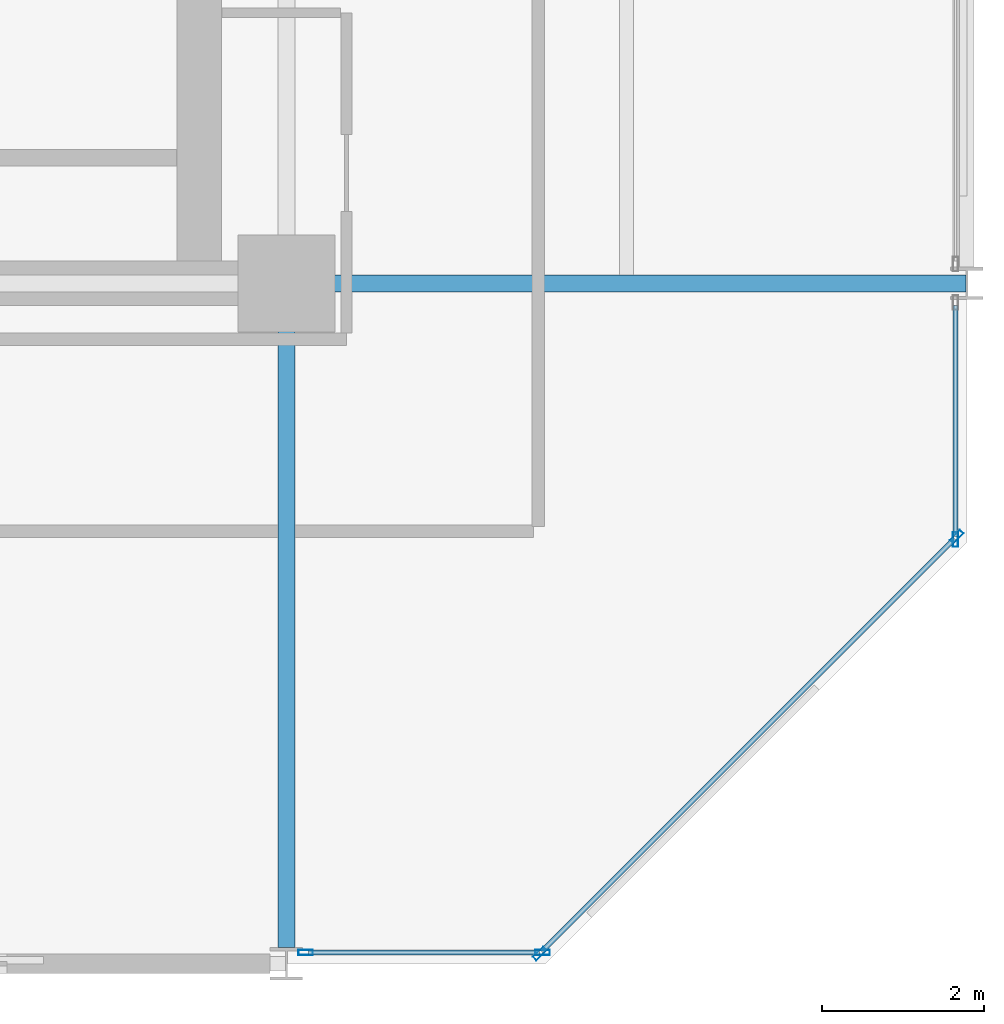
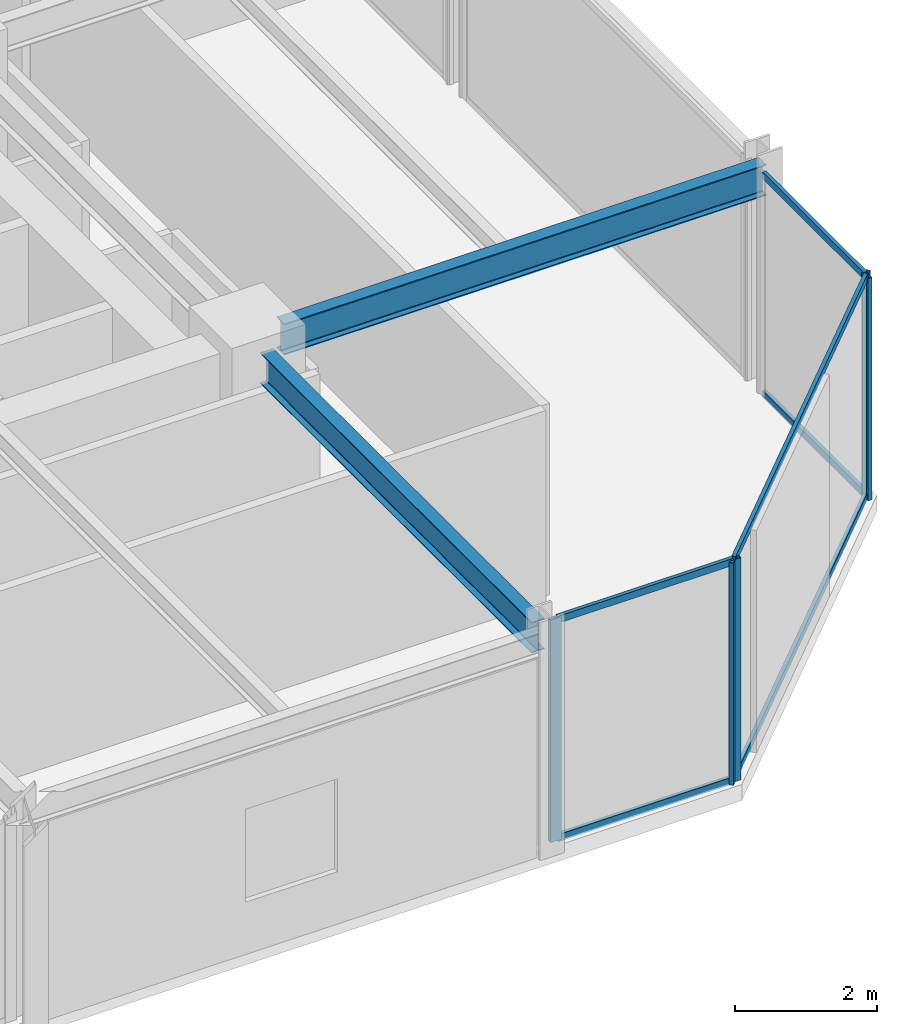
# One storey, part 13 of 29: 11 members, 2 beams, 3 elements without a shape of their own.
"""IFC4 building model written with IfcOpenShell, lengths in metres."""

from ifc_helpers import new_model, si_unit, direction, frame, origin, origin_2d, place, context, subcontext, project, spatial, hollow_rectangle, i_section, extrude, material, layer, layer_set, material_profile, profile_set, type_object, element, aggregate, save


model = new_model("IFC4")

# Units and contexts
model_context = context("Model", 3, precision=1e-05, world=origin(), true_north=direction((0.0, 1.0)))
body_context = subcontext(model_context, "Body", "Model", "MODEL_VIEW")
ifc_project = project(units=[si_unit("LENGTHUNIT", "METRE"), si_unit("AREAUNIT", "SQUARE_METRE"), si_unit("VOLUMEUNIT", "CUBIC_METRE"), si_unit("PLANEANGLEUNIT", "RADIAN"), si_unit("MASSUNIT", "GRAM", prefix="KILO")], contexts=[model_context])

# Site, building, storey
site_placement = place(None, origin())
site = spatial("IfcSite", under=ifc_project, at=site_placement, CompositionType="ELEMENT")
building_placement = place(site_placement, origin())
building = spatial("IfcBuilding", under=site, at=building_placement, Name="Nerrivon Quay Data Exchange", CompositionType="ELEMENT")
storey_placement = place(building_placement, frame((0.0, 0.0, 145.89990234375)))
storey = spatial("IfcBuildingStorey", under=building, at=storey_placement, Name="L34", CompositionType="ELEMENT", Elevation=145.89990234375)

# Beams
ifc_material_1 = material(Name="Steel Grade 350", Category="steel")
ifc_material_profile_1 = material_profile(ifc_material_1, i_section(OverallWidth=0.208984375, OverallDepth=0.532958984375, WebThickness=0.01025390625, FlangeThickness=0.015625, FilletRadius=0.013916015625, at=origin_2d()), Name="530UB92.4")
ifc_profile_set_1 = profile_set([ifc_material_profile_1], Name="Steel Grade 350")
beam_type_1 = type_object("IfcBeamType", Name="BM-G3-530UB92", PredefinedType="BEAM", material=ifc_profile_set_1)
beam_1_placement = place(storey_placement, frame((34.139892578125, 8.39990234375, 3.55859375), z_axis=(1.0, 0.0, 0.0), x_axis=(0.0, 1.0, 0.0)))
element("IfcBeam", 1, at=beam_1_placement, inside=storey, type_object=beam_type_1, Name="L34 EW Girder Y=8.4 (33.6..42.0)", PredefinedType="BEAM", context=body_context, shape_type="SweptSolid", body=[
    extrude(i_section(OverallWidth=0.208984375, OverallDepth=0.532958984375, WebThickness=0.01025390625, FlangeThickness=0.015625, FilletRadius=0.013916015625, at=origin_2d()), origin(), (0.0, 0.0, 1.0), 7.84765625),
])
ifc_material_profile_2 = material_profile(ifc_material_1, i_section(OverallWidth=0.208984375, OverallDepth=0.528076171875, WebThickness=0.009521484375, FlangeThickness=0.01318359375, FilletRadius=0.013916015625, at=origin_2d()), Name="530UB82.0")
ifc_profile_set_2 = profile_set([ifc_material_profile_2], Name="Steel Grade 350")
beam_type_2 = type_object("IfcBeamType", Name="BM-G4-530UB82", PredefinedType="BEAM", material=ifc_profile_set_2)
beam_2_placement = place(storey_placement, frame((33.60009765625, 0.199951171875, 3.56103515625), z_axis=(0.0, 1.0, 0.0), x_axis=(-1.0, 0.0, 0.0)))
element("IfcBeam", 2, at=beam_2_placement, inside=storey, type_object=beam_type_2, Name="L34 NS Girder X=33.6 (0.0..8.4)", PredefinedType="BEAM", context=body_context, shape_type="SweptSolid", body=[
    extrude(i_section(OverallWidth=0.208984375, OverallDepth=0.528076171875, WebThickness=0.009521484375, FlangeThickness=0.01318359375, FilletRadius=0.013916015625, at=origin_2d()), origin(), (0.0, 0.0, 1.0), 7.66015625),
])

# Curtain wall, members
ifc_material_2 = material(Name="Anodised aluminium 6063-T6", Category="aluminium")
ifc_layer = layer(ifc_material_2, 0.2099609375)
ifc_layer_set = layer_set([ifc_layer], Name="Anodised aluminium 6063-T6")
curtain_wall_type = type_object("IfcCurtainWallType", Name="CW-SYS-02", PredefinedType="NOTDEFINED", material=ifc_layer_set)
curtain_wall_1_placement = place(storey_placement, origin())
curtain_wall_1 = element("IfcCurtainWall", 3, at=curtain_wall_1_placement, inside=storey, type_object=curtain_wall_type, Name="L34 Unitised Curtain Wall 1", PredefinedType="NOTDEFINED")
ifc_material_profile_3 = material_profile(ifc_material_2, hollow_rectangle(XDim=0.06494140625, YDim=0.179931640625, WallThickness=0.00341796875, at=origin_2d()), Name="ALU-MULL-180x65")
ifc_profile_set_3 = profile_set([ifc_material_profile_3], Name="Anodised aluminium 6063-T6")
member_type_1 = type_object("IfcMemberType", Name="CWM-180x65", PredefinedType="MULLION", material=ifc_profile_set_3)
member_1_placement = place(storey_placement, frame((41.87451171875, 5.2724609375, 0.0), z_axis=(0.0, 0.0, 1.0), x_axis=(0.707106781187, -0.707106781187, 0.0)))
member_1 = element("IfcMember", 4, at=member_1_placement, type_object=member_type_1, Name="CW02 mullion 1", PredefinedType="MULLION", context=body_context, shape_type="SweptSolid", body=[
    extrude(hollow_rectangle(XDim=0.06494140625, YDim=0.179931640625, WallThickness=0.00341796875, at=origin_2d()), origin(), (0.0, 0.0, 1.0), 3.8251953125),
])
member_2_placement = place(storey_placement, frame((36.7275390625, 0.12548828125, 0.0), z_axis=(0.0, 0.0, 1.0), x_axis=(0.707106781187, -0.707106781187, 0.0)))
member_2 = element("IfcMember", 5, at=member_2_placement, type_object=member_type_1, Name="CW02 mullion 2", PredefinedType="MULLION", context=body_context, shape_type="SweptSolid", body=[
    extrude(hollow_rectangle(XDim=0.06494140625, YDim=0.179931640625, WallThickness=0.00341796875, at=origin_2d()), origin(), (0.0, 0.0, 1.0), 3.8251953125),
])

curtain_wall_2_placement = place(storey_placement, origin())
curtain_wall_2 = element("IfcCurtainWall", 6, at=curtain_wall_2_placement, inside=storey, type_object=curtain_wall_type, Name="L34 Unitised Curtain Wall 2", PredefinedType="NOTDEFINED")
member_3_placement = place(storey_placement, frame((36.762451171875, 0.139892578125, 0.0), z_axis=(0.0, 0.0, 1.0), x_axis=(0.0, -1.0, 0.0)))
member_3 = element("IfcMember", 7, at=member_3_placement, type_object=member_type_1, Name="CW02 mullion 1", PredefinedType="MULLION", context=body_context, shape_type="SweptSolid", body=[
    extrude(hollow_rectangle(XDim=0.06494140625, YDim=0.179931640625, WallThickness=0.00341796875, at=origin_2d()), origin(), (0.0, 0.0, 1.0), 3.8251953125),
])
member_4_placement = place(storey_placement, frame((33.83740234375, 0.139892578125, 0.0), z_axis=(0.0, 0.0, 1.0), x_axis=(0.0, -1.0, 0.0)))
member_4 = element("IfcMember", 8, at=member_4_placement, type_object=member_type_1, Name="CW02 mullion 2", PredefinedType="MULLION", context=body_context, shape_type="SweptSolid", body=[
    extrude(hollow_rectangle(XDim=0.06494140625, YDim=0.179931640625, WallThickness=0.00341796875, at=origin_2d()), origin(), (0.0, 0.0, 1.0), 3.8251953125),
])

# Curtain wall, member
curtain_wall_3_placement = place(storey_placement, origin())
curtain_wall_3 = element("IfcCurtainWall", 9, at=curtain_wall_3_placement, inside=storey, type_object=curtain_wall_type, Name="L34 Unitised Curtain Wall 30", PredefinedType="NOTDEFINED")
member_5_placement = place(storey_placement, frame((41.860107421875, 5.237548828125, 0.0), z_axis=(0.0, 0.0, 1.0), x_axis=(1.0, 0.0, 0.0)))
member_5 = element("IfcMember", 10, at=member_5_placement, type_object=member_type_1, Name="CW02 mullion 2", PredefinedType="MULLION", context=body_context, shape_type="SweptSolid", body=[
    extrude(hollow_rectangle(XDim=0.06494140625, YDim=0.179931640625, WallThickness=0.00341796875, at=origin_2d()), origin(), (0.0, 0.0, 1.0), 3.8251953125),
])

# Member
ifc_material_profile_4 = material_profile(ifc_material_2, hollow_rectangle(XDim=0.06005859375, YDim=0.1201171875, WallThickness=0.003173828125, at=origin_2d()), Name="ALU-TRAN-120x60")
ifc_profile_set_4 = profile_set([ifc_material_profile_4], Name="Anodised aluminium 6063-T6")
member_type_2 = type_object("IfcMemberType", Name="CWT-120x60", PredefinedType="USERDEFINED", material=ifc_profile_set_4)
member_6_placement = place(storey_placement, frame((41.847900390625, 5.245849609375, 0.03271484375), z_axis=(-0.707106781187, -0.707106781187, 0.0), x_axis=(0.707106781187, -0.707106781187, 0.0)))
member_6 = element("IfcMember", 11, at=member_6_placement, type_object=member_type_2, Name="CW02 transom 1.1", ObjectType="TRANSOM", PredefinedType="USERDEFINED", context=body_context, shape_type="SweptSolid", body=[
    extrude(hollow_rectangle(XDim=0.06005859375, YDim=0.1201171875, WallThickness=0.003173828125, at=origin_2d()), origin(), (0.0, 0.0, 1.0), 7.20361328125),
])

member_7_placement = place(storey_placement, frame((41.847900390625, 5.245849609375, 3.79248046875), z_axis=(-0.707106781187, -0.707106781187, 0.0), x_axis=(0.707106781187, -0.707106781187, 0.0)))
member_7 = element("IfcMember", 12, at=member_7_placement, type_object=member_type_2, Name="CW02 transom 1.2", ObjectType="TRANSOM", PredefinedType="USERDEFINED", context=body_context, shape_type="SweptSolid", body=[
    extrude(hollow_rectangle(XDim=0.06005859375, YDim=0.1201171875, WallThickness=0.003173828125, at=origin_2d()), origin(), (0.0, 0.0, 1.0), 7.20361328125),
])

aggregate(curtain_wall_1, [member_1, member_2, member_6, member_7])

member_8_placement = place(storey_placement, frame((36.72509765625, 0.139892578125, 0.03271484375), z_axis=(-1.0, 0.0, 0.0), x_axis=(0.0, -1.0, 0.0)))
member_8 = element("IfcMember", 13, at=member_8_placement, type_object=member_type_2, Name="CW02 transom 1.1", ObjectType="TRANSOM", PredefinedType="USERDEFINED", context=body_context, shape_type="SweptSolid", body=[
    extrude(hollow_rectangle(XDim=0.06005859375, YDim=0.1201171875, WallThickness=0.003173828125, at=origin_2d()), origin(), (0.0, 0.0, 1.0), 2.85009765625),
])

member_9_placement = place(storey_placement, frame((36.72509765625, 0.139892578125, 3.79248046875), z_axis=(-1.0, 0.0, 0.0), x_axis=(0.0, -1.0, 0.0)))
member_9 = element("IfcMember", 14, at=member_9_placement, type_object=member_type_2, Name="CW02 transom 1.2", ObjectType="TRANSOM", PredefinedType="USERDEFINED", context=body_context, shape_type="SweptSolid", body=[
    extrude(hollow_rectangle(XDim=0.06005859375, YDim=0.1201171875, WallThickness=0.003173828125, at=origin_2d()), origin(), (0.0, 0.0, 1.0), 2.85009765625),
])

aggregate(curtain_wall_2, [member_3, member_4, member_8, member_9])

member_10_placement = place(storey_placement, frame((41.860107421875, 8.125, 0.03271484375), z_axis=(0.0, -1.0, 0.0), x_axis=(1.0, 0.0, 0.0)))
member_10 = element("IfcMember", 15, at=member_10_placement, type_object=member_type_2, Name="CW02 transom 1.1", ObjectType="TRANSOM", PredefinedType="USERDEFINED", context=body_context, shape_type="SweptSolid", body=[
    extrude(hollow_rectangle(XDim=0.06005859375, YDim=0.1201171875, WallThickness=0.003173828125, at=origin_2d()), origin(), (0.0, 0.0, 1.0), 2.85009765625),
])

member_11_placement = place(storey_placement, frame((41.860107421875, 8.125, 3.79248046875), z_axis=(0.0, -1.0, 0.0), x_axis=(1.0, 0.0, 0.0)))
member_11 = element("IfcMember", 16, at=member_11_placement, type_object=member_type_2, Name="CW02 transom 1.2", ObjectType="TRANSOM", PredefinedType="USERDEFINED", context=body_context, shape_type="SweptSolid", body=[
    extrude(hollow_rectangle(XDim=0.06005859375, YDim=0.1201171875, WallThickness=0.003173828125, at=origin_2d()), origin(), (0.0, 0.0, 1.0), 2.85009765625),
])

aggregate(curtain_wall_3, [member_5, member_10, member_11])

save(model, "model.ifc")
